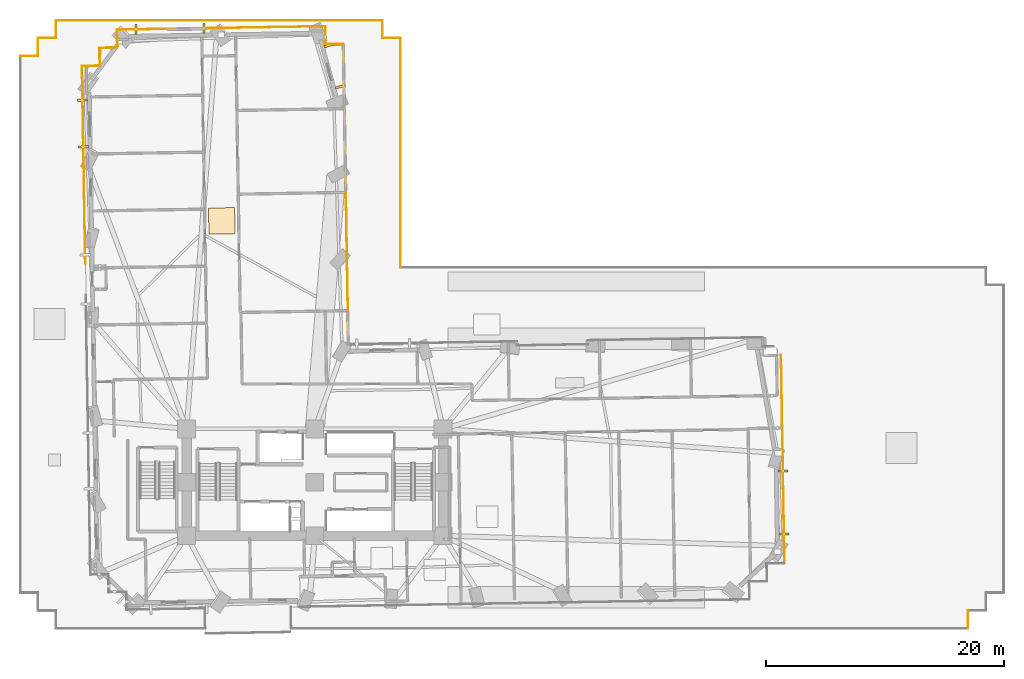
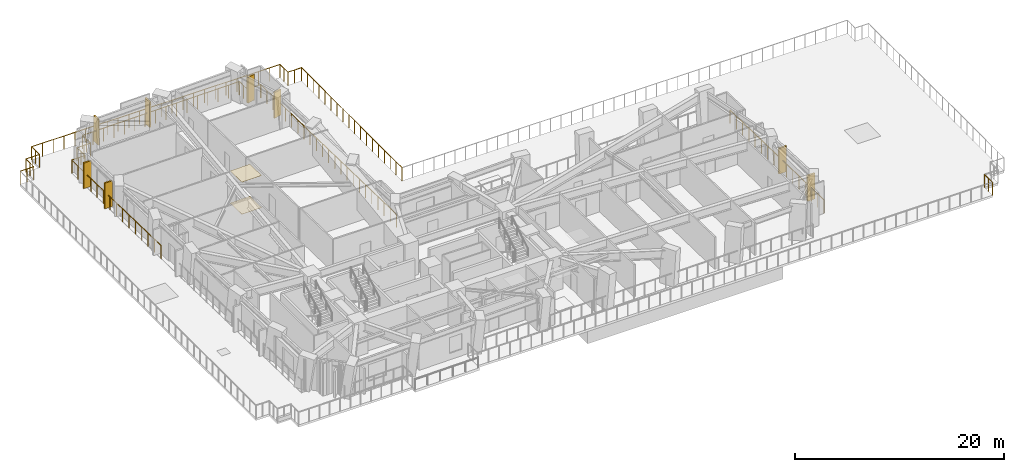
# One storey, part 16 of 17: 19 railings, 8 shading devices, 2 coverings.
"""IFC4 building model written with IfcOpenShell, lengths in metres."""

from ifc_helpers import new_model, si_unit, direction, frame, origin, origin_2d, place, context, subcontext, project, spatial, rectangle, circle, extrude, material, layer, layer_set, type_object, element, save


model = new_model("IFC4")

# Units and contexts
model_context = context("Model", 3, precision=1e-05, world=origin(), true_north=direction((0.0, 1.0)))
body_context = subcontext(model_context, "Body", "Model", "MODEL_VIEW")
ifc_project = project(units=[si_unit("LENGTHUNIT", "METRE"), si_unit("AREAUNIT", "SQUARE_METRE"), si_unit("VOLUMEUNIT", "CUBIC_METRE"), si_unit("PLANEANGLEUNIT", "RADIAN"), si_unit("MASSUNIT", "GRAM", prefix="KILO")], contexts=[model_context])

# Site, building, storey
site_placement = place(None, origin())
site = spatial("IfcSite", under=ifc_project, at=site_placement, CompositionType="ELEMENT")
building_placement = place(site_placement, origin())
building = spatial("IfcBuilding", under=site, at=building_placement, Name="Gaonmaruhae Medical Tower", CompositionType="ELEMENT")
storey_placement = place(building_placement, frame((0.0, 0.0, 27.0)))
storey = spatial("IfcBuildingStorey", under=building, at=storey_placement, Name="L05", CompositionType="ELEMENT", Elevation=27.0)

# Coverings
ifc_material_1 = material(Name="Acoustic mineral ceiling tile", Category="finish")
ifc_layer_1 = layer(ifc_material_1, 0.02490234375)
ifc_layer_set_1 = layer_set([ifc_layer_1], Name="Acoustic mineral ceiling tile")
covering_type_1 = type_object("IfcCoveringType", Name="CLG-01 Antimicrobial Acoustic Mineral Ceiling", PredefinedType="CEILING", material=ifc_layer_set_1)
covering_1_placement = place(storey_placement, frame((16.965087890625, 34.31103515625, 3.755126953125), z_axis=(0.0, 0.0, 1.0), x_axis=(0.999862544538, 0.016579868188, 0.0)))
element("IfcCovering", 1, at=covering_1_placement, inside=storey, type_object=covering_type_1, Name="L05 Clinical Corridor Acoustic Ceiling", PredefinedType="CEILING", context=body_context, shape_type="SweptSolid", body=[
    extrude(rectangle(XDim=2.199951171875, YDim=2.199951171875, at=origin_2d()), origin(), (0.0, 0.0, 1.0), 0.02490234375),
])
ifc_material_2 = material(Name="Seamless clinical vinyl flooring", Category="finish")
ifc_layer_2 = layer(ifc_material_2, 0.014892578125)
ifc_layer_set_2 = layer_set([ifc_layer_2], Name="Seamless clinical vinyl flooring")
covering_type_2 = type_object("IfcCoveringType", Name="FLR-01 Seamless Clinical Antistatic Vinyl Flooring", PredefinedType="FLOORING", material=ifc_layer_set_2)
covering_2_placement = place(storey_placement, frame((16.965087890625, 34.31103515625, 0.00048828125), z_axis=(0.0, 0.0, 1.0), x_axis=(0.999862544538, 0.016579868188, 0.0)))
element("IfcCovering", 2, at=covering_2_placement, inside=storey, type_object=covering_type_2, Name="L05 Clinical Corridor Vinyl Flooring", PredefinedType="FLOORING", context=body_context, shape_type="SweptSolid", body=[
    extrude(rectangle(XDim=2.199951171875, YDim=2.199951171875, at=origin_2d()), origin(), (0.0, 0.0, 1.0), 0.014892578125),
])

# Railings
ifc_material_3 = material(Name="Stainless steel 316L and laminated safety glass", Category="steel")
ifc_layer_3 = layer(ifc_material_3, 0.080078125)
ifc_layer_set_3 = layer_set([ifc_layer_3], Name="Stainless steel 316L and laminated safety glass")
railing_type = type_object("IfcRailingType", Name="GD-155 Planter-Edge Raised Safety Balustrade", PredefinedType="BALUSTRADE", material=ifc_layer_set_3)
railing_1_placement = place(storey_placement, frame((0.0, 48.199951171875, 0.0)))
element("IfcRailing", 3, at=railing_1_placement, inside=storey, type_object=railing_type, Name="L05 Terrace Safety Guard RL-SLB-L05-PODROOF1-05", PredefinedType="BALUSTRADE", context=body_context, shape_type="SweptSolid", body=[
    extrude(circle(Radius=0.02392578125, at=origin_2d()), frame((0.0, 0.0, 1.52587890625), z_axis=(1.0, 0.0, 0.0), x_axis=(0.0, 1.0, 0.0)), (0.0, 0.0, 1.0), 1.5),
    extrude(circle(Radius=0.02099609375, at=origin_2d()), origin(), (0.0, 0.0, 1.0), 1.501953125),
    extrude(circle(Radius=0.02099609375, at=origin_2d()), frame((0.75, 0.0, 0.0)), (0.0, 0.0, 1.0), 1.501953125),
    extrude(circle(Radius=0.02099609375, at=origin_2d()), frame((1.5, 0.0, 0.0)), (0.0, 0.0, 1.0), 1.501953125),
])
railing_2_placement = place(storey_placement, frame((1.5, 48.199951171875, 0.0)))
element("IfcRailing", 4, at=railing_2_placement, inside=storey, type_object=railing_type, Name="L05 Terrace Safety Guard RL-SLB-L05-PODROOF1-06", PredefinedType="BALUSTRADE", context=body_context, shape_type="SweptSolid", body=[
    extrude(circle(Radius=0.02392578125, at=origin_2d()), frame((0.0, 0.0, 1.52587890625), z_axis=(0.0, 1.0, 0.0), x_axis=(-1.0, 0.0, 0.0)), (0.0, 0.0, 1.0), 1.5),
    extrude(circle(Radius=0.02099609375, at=origin_2d()), origin(), (0.0, 0.0, 1.0), 1.501953125),
    extrude(circle(Radius=0.02099609375, at=origin_2d()), frame((0.0, 0.75, 0.0)), (0.0, 0.0, 1.0), 1.501953125),
    extrude(circle(Radius=0.02099609375, at=origin_2d()), frame((0.0, 1.5, 0.0)), (0.0, 0.0, 1.0), 1.501953125),
])
railing_3_placement = place(storey_placement, frame((1.5, 49.699951171875, 0.0)))
element("IfcRailing", 5, at=railing_3_placement, inside=storey, type_object=railing_type, Name="L05 Terrace Safety Guard RL-SLB-L05-PODROOF1-07", PredefinedType="BALUSTRADE", context=body_context, shape_type="SweptSolid", body=[
    extrude(circle(Radius=0.02392578125, at=origin_2d()), frame((0.0, 0.0, 1.52587890625), z_axis=(1.0, 0.0, 0.0), x_axis=(0.0, 1.0, 0.0)), (0.0, 0.0, 1.0), 1.5),
    extrude(circle(Radius=0.02099609375, at=origin_2d()), origin(), (0.0, 0.0, 1.0), 1.501953125),
    extrude(circle(Radius=0.02099609375, at=origin_2d()), frame((0.75, 0.0, 0.0)), (0.0, 0.0, 1.0), 1.501953125),
    extrude(circle(Radius=0.02099609375, at=origin_2d()), frame((1.5, 0.0, 0.0)), (0.0, 0.0, 1.0), 1.501953125),
])
railing_4_placement = place(storey_placement, frame((3.0, 49.699951171875, 0.0)))
element("IfcRailing", 6, at=railing_4_placement, inside=storey, type_object=railing_type, Name="L05 Terrace Safety Guard RL-SLB-L05-PODROOF1-08", PredefinedType="BALUSTRADE", context=body_context, shape_type="SweptSolid", body=[
    extrude(circle(Radius=0.02392578125, at=origin_2d()), frame((0.0, 0.0, 1.52587890625), z_axis=(0.0, 1.0, 0.0), x_axis=(-1.0, 0.0, 0.0)), (0.0, 0.0, 1.0), 1.5),
    extrude(circle(Radius=0.02099609375, at=origin_2d()), origin(), (0.0, 0.0, 1.0), 1.501953125),
    extrude(circle(Radius=0.02099609375, at=origin_2d()), frame((0.0, 0.75, 0.0)), (0.0, 0.0, 1.0), 1.501953125),
    extrude(circle(Radius=0.02099609375, at=origin_2d()), frame((0.0, 1.5, 0.0)), (0.0, 0.0, 1.0), 1.501953125),
])
railing_5_placement = place(storey_placement, frame((3.0, 51.199951171875, 0.0)))
element("IfcRailing", 7, at=railing_5_placement, inside=storey, type_object=railing_type, Name="L05 Terrace Safety Guard RL-SLB-L05-PODROOF1-09", PredefinedType="BALUSTRADE", context=body_context, shape_type="SweptSolid", body=[
    extrude(circle(Radius=0.02392578125, at=origin_2d()), frame((0.0, 0.0, 1.52587890625), z_axis=(1.0, 0.0, 0.0), x_axis=(0.0, 1.0, 0.0)), (0.0, 0.0, 1.0), 27.5),
    extrude(circle(Radius=0.02099609375, at=origin_2d()), origin(), (0.0, 0.0, 1.0), 1.501953125),
    extrude(circle(Radius=0.02099609375, at=origin_2d()), frame((1.195556640625, 0.0, 0.0)), (0.0, 0.0, 1.0), 1.501953125),
    extrude(circle(Radius=0.02099609375, at=origin_2d()), frame((2.391357421875, 0.0, 0.0)), (0.0, 0.0, 1.0), 1.501953125),
    extrude(circle(Radius=0.02099609375, at=origin_2d()), frame((3.5869140625, 0.0, 0.0)), (0.0, 0.0, 1.0), 1.501953125),
    extrude(circle(Radius=0.02099609375, at=origin_2d()), frame((4.78271484375, 0.0, 0.0)), (0.0, 0.0, 1.0), 1.501953125),
    extrude(circle(Radius=0.02099609375, at=origin_2d()), frame((5.978271484375, 0.0, 0.0)), (0.0, 0.0, 1.0), 1.501953125),
    extrude(circle(Radius=0.02099609375, at=origin_2d()), frame((7.173828125, 0.0, 0.0)), (0.0, 0.0, 1.0), 1.501953125),
    extrude(circle(Radius=0.02099609375, at=origin_2d()), frame((8.36962890625, 0.0, 0.0)), (0.0, 0.0, 1.0), 1.501953125),
    extrude(circle(Radius=0.02099609375, at=origin_2d()), frame((9.565185546875, 0.0, 0.0)), (0.0, 0.0, 1.0), 1.501953125),
    extrude(circle(Radius=0.02099609375, at=origin_2d()), frame((10.760986328125, 0.0, 0.0)), (0.0, 0.0, 1.0), 1.501953125),
    extrude(circle(Radius=0.02099609375, at=origin_2d()), frame((11.95654296875, 0.0, 0.0)), (0.0, 0.0, 1.0), 1.501953125),
    extrude(circle(Radius=0.02099609375, at=origin_2d()), frame((13.152099609375, 0.0, 0.0)), (0.0, 0.0, 1.0), 1.501953125),
    extrude(circle(Radius=0.02099609375, at=origin_2d()), frame((14.347900390625, 0.0, 0.0)), (0.0, 0.0, 1.0), 1.501953125),
    extrude(circle(Radius=0.02099609375, at=origin_2d()), frame((15.54345703125, 0.0, 0.0)), (0.0, 0.0, 1.0), 1.501953125),
    extrude(circle(Radius=0.02099609375, at=origin_2d()), frame((16.739013671875, 0.0, 0.0)), (0.0, 0.0, 1.0), 1.501953125),
    extrude(circle(Radius=0.02099609375, at=origin_2d()), frame((17.934814453125, 0.0, 0.0)), (0.0, 0.0, 1.0), 1.501953125),
    extrude(circle(Radius=0.02099609375, at=origin_2d()), frame((19.13037109375, 0.0, 0.0)), (0.0, 0.0, 1.0), 1.501953125),
    extrude(circle(Radius=0.02099609375, at=origin_2d()), frame((20.326171875, 0.0, 0.0)), (0.0, 0.0, 1.0), 1.501953125),
    extrude(circle(Radius=0.02099609375, at=origin_2d()), frame((21.521728515625, 0.0, 0.0)), (0.0, 0.0, 1.0), 1.501953125),
    extrude(circle(Radius=0.02099609375, at=origin_2d()), frame((22.71728515625, 0.0, 0.0)), (0.0, 0.0, 1.0), 1.501953125),
    extrude(circle(Radius=0.02099609375, at=origin_2d()), frame((23.9130859375, 0.0, 0.0)), (0.0, 0.0, 1.0), 1.501953125),
    extrude(circle(Radius=0.02099609375, at=origin_2d()), frame((25.108642578125, 0.0, 0.0)), (0.0, 0.0, 1.0), 1.501953125),
    extrude(circle(Radius=0.02099609375, at=origin_2d()), frame((26.304443359375, 0.0, 0.0)), (0.0, 0.0, 1.0), 1.501953125),
    extrude(circle(Radius=0.02099609375, at=origin_2d()), frame((27.5, 0.0, 0.0)), (0.0, 0.0, 1.0), 1.501953125),
])
railing_6_placement = place(storey_placement, frame((30.5, 51.199951171875, 0.0)))
element("IfcRailing", 8, at=railing_6_placement, inside=storey, type_object=railing_type, Name="L05 Terrace Safety Guard RL-SLB-L05-PODROOF1-10", PredefinedType="BALUSTRADE", context=body_context, shape_type="SweptSolid", body=[
    extrude(circle(Radius=0.02392578125, at=origin_2d()), frame((0.0, 0.0, 1.52587890625), z_axis=(0.0, -1.0, 0.0), x_axis=(1.0, 0.0, 0.0)), (0.0, 0.0, 1.0), 1.5),
    extrude(circle(Radius=0.02099609375, at=origin_2d()), origin(), (0.0, 0.0, 1.0), 1.501953125),
    extrude(circle(Radius=0.02099609375, at=origin_2d()), frame((0.0, -0.75, 0.0)), (0.0, 0.0, 1.0), 1.501953125),
    extrude(circle(Radius=0.02099609375, at=origin_2d()), frame((0.0, -1.5, 0.0)), (0.0, 0.0, 1.0), 1.501953125),
])
railing_7_placement = place(storey_placement, frame((30.5, 49.699951171875, 0.0)))
element("IfcRailing", 9, at=railing_7_placement, inside=storey, type_object=railing_type, Name="L05 Terrace Safety Guard RL-SLB-L05-PODROOF1-11", PredefinedType="BALUSTRADE", context=body_context, shape_type="SweptSolid", body=[
    extrude(circle(Radius=0.02392578125, at=origin_2d()), frame((0.0, 0.0, 1.52587890625), z_axis=(1.0, 0.0, 0.0), x_axis=(0.0, 1.0, 0.0)), (0.0, 0.0, 1.0), 1.5),
    extrude(circle(Radius=0.02099609375, at=origin_2d()), origin(), (0.0, 0.0, 1.0), 1.501953125),
    extrude(circle(Radius=0.02099609375, at=origin_2d()), frame((0.75, 0.0, 0.0)), (0.0, 0.0, 1.0), 1.501953125),
    extrude(circle(Radius=0.02099609375, at=origin_2d()), frame((1.5, 0.0, 0.0)), (0.0, 0.0, 1.0), 1.501953125),
])
railing_8_placement = place(storey_placement, frame((32.0, 49.699951171875, 0.0)))
element("IfcRailing", 10, at=railing_8_placement, inside=storey, type_object=railing_type, Name="L05 Terrace Safety Guard RL-SLB-L05-PODROOF1-12", PredefinedType="BALUSTRADE", context=body_context, shape_type="SweptSolid", body=[
    extrude(circle(Radius=0.02392578125, at=origin_2d()), frame((0.0, 0.0, 1.52587890625), z_axis=(0.0, -1.0, 0.0), x_axis=(1.0, 0.0, 0.0)), (0.0, 0.0, 1.0), 19.300048828125),
    extrude(circle(Radius=0.02099609375, at=origin_2d()), origin(), (0.0, 0.0, 1.0), 1.501953125),
    extrude(circle(Radius=0.02099609375, at=origin_2d()), frame((0.0, -1.13525390625, 0.0)), (0.0, 0.0, 1.0), 1.501953125),
    extrude(circle(Radius=0.02099609375, at=origin_2d()), frame((0.0, -2.2705078125, 0.0)), (0.0, 0.0, 1.0), 1.501953125),
    extrude(circle(Radius=0.02099609375, at=origin_2d()), frame((0.0, -3.406005859375, 0.0)), (0.0, 0.0, 1.0), 1.501953125),
    extrude(circle(Radius=0.02099609375, at=origin_2d()), frame((0.0, -4.541259765625, 0.0)), (0.0, 0.0, 1.0), 1.501953125),
    extrude(circle(Radius=0.02099609375, at=origin_2d()), frame((0.0, -5.676513671875, 0.0)), (0.0, 0.0, 1.0), 1.501953125),
    extrude(circle(Radius=0.02099609375, at=origin_2d()), frame((0.0, -6.811767578125, 0.0)), (0.0, 0.0, 1.0), 1.501953125),
    extrude(circle(Radius=0.02099609375, at=origin_2d()), frame((0.0, -7.947021484375, 0.0)), (0.0, 0.0, 1.0), 1.501953125),
    extrude(circle(Radius=0.02099609375, at=origin_2d()), frame((0.0, -9.082275390625, 0.0)), (0.0, 0.0, 1.0), 1.501953125),
    extrude(circle(Radius=0.02099609375, at=origin_2d()), frame((0.0, -10.2177734375, 0.0)), (0.0, 0.0, 1.0), 1.501953125),
    extrude(circle(Radius=0.02099609375, at=origin_2d()), frame((0.0, -11.35302734375, 0.0)), (0.0, 0.0, 1.0), 1.501953125),
    extrude(circle(Radius=0.02099609375, at=origin_2d()), frame((0.0, -12.48828125, 0.0)), (0.0, 0.0, 1.0), 1.501953125),
    extrude(circle(Radius=0.02099609375, at=origin_2d()), frame((0.0, -13.62353515625, 0.0)), (0.0, 0.0, 1.0), 1.501953125),
    extrude(circle(Radius=0.02099609375, at=origin_2d()), frame((0.0, -14.7587890625, 0.0)), (0.0, 0.0, 1.0), 1.501953125),
    extrude(circle(Radius=0.02099609375, at=origin_2d()), frame((0.0, -15.89404296875, 0.0)), (0.0, 0.0, 1.0), 1.501953125),
    extrude(circle(Radius=0.02099609375, at=origin_2d()), frame((0.0, -17.029541015625, 0.0)), (0.0, 0.0, 1.0), 1.501953125),
    extrude(circle(Radius=0.02099609375, at=origin_2d()), frame((0.0, -18.164794921875, 0.0)), (0.0, 0.0, 1.0), 1.501953125),
    extrude(circle(Radius=0.02099609375, at=origin_2d()), frame((0.0, -19.300048828125, 0.0)), (0.0, 0.0, 1.0), 1.501953125),
])
railing_9_placement = place(storey_placement, frame((79.800048828125, 1.5, 0.0)))
element("IfcRailing", 11, at=railing_9_placement, inside=storey, type_object=railing_type, Name="L05 Terrace Safety Guard RL-SLB-L05-PODROOF1-20", PredefinedType="BALUSTRADE", context=body_context, shape_type="SweptSolid", body=[
    extrude(circle(Radius=0.02392578125, at=origin_2d()), frame((0.0, 0.0, 1.52587890625), z_axis=(0.0, -1.0, 0.0), x_axis=(1.0, 0.0, 0.0)), (0.0, 0.0, 1.0), 1.5),
    extrude(circle(Radius=0.02099609375, at=origin_2d()), origin(), (0.0, 0.0, 1.0), 1.501953125),
    extrude(circle(Radius=0.02099609375, at=origin_2d()), frame((0.0, -0.75, 0.0)), (0.0, 0.0, 1.0), 1.501953125),
    extrude(circle(Radius=0.02099609375, at=origin_2d()), frame((0.0, -1.5, 0.0)), (0.0, 0.0, 1.0), 1.501953125),
])
railing_10_placement = place(storey_placement, frame((64.343994140625, 5.507080078125, 0.0)))
element("IfcRailing", 12, at=railing_10_placement, inside=storey, type_object=railing_type, Name="L05 Terrace Safety Guard RL-SLB-L05-PODROOF1-78", PredefinedType="BALUSTRADE", context=body_context, shape_type="SweptSolid", body=[
    extrude(circle(Radius=0.02392578125, at=origin_2d()), frame((0.0, 0.0, 1.52587890625), z_axis=(-0.016573696449, 0.99986264686, 0.0), x_axis=(-0.99986264686, -0.016573696449, 0.0)), (0.0, 0.0, 1.0), 17.5),
    extrude(circle(Radius=0.02099609375, at=origin_2d()), origin(), (0.0, 0.0, 1.0), 1.501953125),
    extrude(circle(Radius=0.02099609375, at=origin_2d()), frame((-0.019287109375, 1.16650390625, 0.0)), (0.0, 0.0, 1.0), 1.501953125),
    extrude(circle(Radius=0.02099609375, at=origin_2d()), frame((-0.03857421875, 2.3330078125, 0.0)), (0.0, 0.0, 1.0), 1.501953125),
    extrude(circle(Radius=0.02099609375, at=origin_2d()), frame((-0.05810546875, 3.49951171875, 0.0)), (0.0, 0.0, 1.0), 1.501953125),
    extrude(circle(Radius=0.02099609375, at=origin_2d()), frame((-0.077392578125, 4.666015625, 0.0)), (0.0, 0.0, 1.0), 1.501953125),
    extrude(circle(Radius=0.02099609375, at=origin_2d()), frame((-0.0966796875, 5.83251953125, 0.0)), (0.0, 0.0, 1.0), 1.501953125),
    extrude(circle(Radius=0.02099609375, at=origin_2d()), frame((-0.115966796875, 6.9990234375, 0.0)), (0.0, 0.0, 1.0), 1.501953125),
    extrude(circle(Radius=0.02099609375, at=origin_2d()), frame((-0.13525390625, 8.16552734375, 0.0)), (0.0, 0.0, 1.0), 1.501953125),
    extrude(circle(Radius=0.02099609375, at=origin_2d()), frame((-0.15478515625, 9.33203125, 0.0)), (0.0, 0.0, 1.0), 1.501953125),
    extrude(circle(Radius=0.02099609375, at=origin_2d()), frame((-0.174072265625, 10.49853515625, 0.0)), (0.0, 0.0, 1.0), 1.501953125),
    extrude(circle(Radius=0.02099609375, at=origin_2d()), frame((-0.193359375, 11.6650390625, 0.0)), (0.0, 0.0, 1.0), 1.501953125),
    extrude(circle(Radius=0.02099609375, at=origin_2d()), frame((-0.212646484375, 12.83154296875, 0.0)), (0.0, 0.0, 1.0), 1.501953125),
    extrude(circle(Radius=0.02099609375, at=origin_2d()), frame((-0.23193359375, 13.998046875, 0.0)), (0.0, 0.0, 1.0), 1.501953125),
    extrude(circle(Radius=0.02099609375, at=origin_2d()), frame((-0.25146484375, 15.16455078125, 0.0)), (0.0, 0.0, 1.0), 1.501953125),
    extrude(circle(Radius=0.02099609375, at=origin_2d()), frame((-0.270751953125, 16.3310546875, 0.0)), (0.0, 0.0, 1.0), 1.501953125),
    extrude(circle(Radius=0.02099609375, at=origin_2d()), frame((-0.2900390625, 17.49755859375, 0.0)), (0.0, 0.0, 1.0), 1.501953125),
])
railing_11_placement = place(storey_placement, frame((27.6337890625, 23.9208984375, 0.0)))
element("IfcRailing", 13, at=railing_11_placement, inside=storey, type_object=railing_type, Name="L05 Terrace Safety Guard RL-SLB-L05-PODROOF1-168", PredefinedType="BALUSTRADE", context=body_context, shape_type="SweptSolid", body=[
    extrude(circle(Radius=0.02392578125, at=origin_2d()), frame((0.0, 0.0, 1.52587890625), z_axis=(-0.016581804196, 0.999862512433, 0.0), x_axis=(-0.999862512433, -0.016581804196, 0.0)), (0.0, 0.0, 1.0), 25.280029296875),
    extrude(circle(Radius=0.02099609375, at=origin_2d()), origin(), (0.0, 0.0, 1.0), 1.501953125),
    extrude(circle(Radius=0.02099609375, at=origin_2d()), frame((-0.01904296875, 1.14892578125, 0.0)), (0.0, 0.0, 1.0), 1.501953125),
    extrude(circle(Radius=0.02099609375, at=origin_2d()), frame((-0.0380859375, 2.2978515625, 0.0)), (0.0, 0.0, 1.0), 1.501953125),
    extrude(circle(Radius=0.02099609375, at=origin_2d()), frame((-0.05712890625, 3.44677734375, 0.0)), (0.0, 0.0, 1.0), 1.501953125),
    extrude(circle(Radius=0.02099609375, at=origin_2d()), frame((-0.076171875, 4.595703125, 0.0)), (0.0, 0.0, 1.0), 1.501953125),
    extrude(circle(Radius=0.02099609375, at=origin_2d()), frame((-0.09521484375, 5.74462890625, 0.0)), (0.0, 0.0, 1.0), 1.501953125),
    extrude(circle(Radius=0.02099609375, at=origin_2d()), frame((-0.1142578125, 6.8935546875, 0.0)), (0.0, 0.0, 1.0), 1.501953125),
    extrude(circle(Radius=0.02099609375, at=origin_2d()), frame((-0.13330078125, 8.04248046875, 0.0)), (0.0, 0.0, 1.0), 1.501953125),
    extrude(circle(Radius=0.02099609375, at=origin_2d()), frame((-0.15234375, 9.19140625, 0.0)), (0.0, 0.0, 1.0), 1.501953125),
    extrude(circle(Radius=0.02099609375, at=origin_2d()), frame((-0.17138671875, 10.34033203125, 0.0)), (0.0, 0.0, 1.0), 1.501953125),
    extrude(circle(Radius=0.02099609375, at=origin_2d()), frame((-0.1904296875, 11.4892578125, 0.0)), (0.0, 0.0, 1.0), 1.501953125),
    extrude(circle(Radius=0.02099609375, at=origin_2d()), frame((-0.20947265625, 12.63818359375, 0.0)), (0.0, 0.0, 1.0), 1.501953125),
    extrude(circle(Radius=0.02099609375, at=origin_2d()), frame((-0.228759765625, 13.787353515625, 0.0)), (0.0, 0.0, 1.0), 1.501953125),
    extrude(circle(Radius=0.02099609375, at=origin_2d()), frame((-0.247802734375, 14.936279296875, 0.0)), (0.0, 0.0, 1.0), 1.501953125),
    extrude(circle(Radius=0.02099609375, at=origin_2d()), frame((-0.266845703125, 16.085205078125, 0.0)), (0.0, 0.0, 1.0), 1.501953125),
    extrude(circle(Radius=0.02099609375, at=origin_2d()), frame((-0.285888671875, 17.234130859375, 0.0)), (0.0, 0.0, 1.0), 1.501953125),
    extrude(circle(Radius=0.02099609375, at=origin_2d()), frame((-0.304931640625, 18.383056640625, 0.0)), (0.0, 0.0, 1.0), 1.501953125),
    extrude(circle(Radius=0.02099609375, at=origin_2d()), frame((-0.323974609375, 19.531982421875, 0.0)), (0.0, 0.0, 1.0), 1.501953125),
    extrude(circle(Radius=0.02099609375, at=origin_2d()), frame((-0.343017578125, 20.680908203125, 0.0)), (0.0, 0.0, 1.0), 1.501953125),
    extrude(circle(Radius=0.02099609375, at=origin_2d()), frame((-0.362060546875, 21.829833984375, 0.0)), (0.0, 0.0, 1.0), 1.501953125),
    extrude(circle(Radius=0.02099609375, at=origin_2d()), frame((-0.381103515625, 22.978759765625, 0.0)), (0.0, 0.0, 1.0), 1.501953125),
    extrude(circle(Radius=0.02099609375, at=origin_2d()), frame((-0.400146484375, 24.127685546875, 0.0)), (0.0, 0.0, 1.0), 1.501953125),
    extrude(circle(Radius=0.02099609375, at=origin_2d()), frame((-0.419189453125, 25.276611328125, 0.0)), (0.0, 0.0, 1.0), 1.501953125),
])
railing_12_placement = place(storey_placement, frame((27.1943359375, 49.21728515625, 0.0)))
element("IfcRailing", 14, at=railing_12_placement, inside=storey, type_object=railing_type, Name="L05 Terrace Safety Guard RL-SLB-L05-PODROOF1-185", PredefinedType="BALUSTRADE", context=body_context, shape_type="SweptSolid", body=[
    extrude(circle(Radius=0.02392578125, at=origin_2d()), frame((0.0, 0.0, 1.52587890625), z_axis=(-0.999861185847, -0.016661603658, 0.0), x_axis=(0.016661603658, -0.999861185847, 0.0)), (0.0, 0.0, 1.0), 1.47998046875),
    extrude(circle(Radius=0.02099609375, at=origin_2d()), origin(), (0.0, 0.0, 1.0), 1.501953125),
    extrude(circle(Radius=0.02099609375, at=origin_2d()), frame((-0.73974609375, -0.01220703125, 0.0)), (0.0, 0.0, 1.0), 1.501953125),
    extrude(circle(Radius=0.02099609375, at=origin_2d()), frame((-1.479736328125, -0.024658203125, 0.0)), (0.0, 0.0, 1.0), 1.501953125),
])
railing_13_placement = place(storey_placement, frame((25.714599609375, 49.192626953125, 0.0)))
element("IfcRailing", 15, at=railing_13_placement, inside=storey, type_object=railing_type, Name="L05 Terrace Safety Guard RL-SLB-L05-PODROOF1-186", PredefinedType="BALUSTRADE", context=body_context, shape_type="SweptSolid", body=[
    extrude(circle(Radius=0.02392578125, at=origin_2d()), frame((0.0, 0.0, 1.52587890625), z_axis=(-0.016661603658, 0.999861185847, 0.0), x_axis=(-0.999861185847, -0.016661603658, 0.0)), (0.0, 0.0, 1.0), 1.47998046875),
    extrude(circle(Radius=0.02099609375, at=origin_2d()), origin(), (0.0, 0.0, 1.0), 1.501953125),
    extrude(circle(Radius=0.02099609375, at=origin_2d()), frame((-0.01220703125, 0.73974609375, 0.0)), (0.0, 0.0, 1.0), 1.501953125),
    extrude(circle(Radius=0.02099609375, at=origin_2d()), frame((-0.024658203125, 1.479736328125, 0.0)), (0.0, 0.0, 1.0), 1.501953125),
])
railing_14_placement = place(storey_placement, frame((25.669677734375, 50.692138671875, 0.0)))
element("IfcRailing", 16, at=railing_14_placement, inside=storey, type_object=railing_type, Name="L05 Terrace Safety Guard RL-SLB-L05-PODROOF1-203", PredefinedType="BALUSTRADE", context=body_context, shape_type="SweptSolid", body=[
    extrude(circle(Radius=0.02392578125, at=origin_2d()), frame((0.0, 0.0, 1.52587890625), z_axis=(-0.999862415576, -0.016587643535, 0.0), x_axis=(0.016587643535, -0.999862415576, 0.0)), (0.0, 0.0, 1.0), 17.5),
    extrude(circle(Radius=0.02099609375, at=origin_2d()), origin(), (0.0, 0.0, 1.0), 1.501953125),
    extrude(circle(Radius=0.02099609375, at=origin_2d()), frame((-1.16650390625, -0.019287109375, 0.0)), (0.0, 0.0, 1.0), 1.501953125),
    extrude(circle(Radius=0.02099609375, at=origin_2d()), frame((-2.3330078125, -0.038818359375, 0.0)), (0.0, 0.0, 1.0), 1.501953125),
    extrude(circle(Radius=0.02099609375, at=origin_2d()), frame((-3.49951171875, -0.05810546875, 0.0)), (0.0, 0.0, 1.0), 1.501953125),
    extrude(circle(Radius=0.02099609375, at=origin_2d()), frame((-4.666015625, -0.077392578125, 0.0)), (0.0, 0.0, 1.0), 1.501953125),
    extrude(circle(Radius=0.02099609375, at=origin_2d()), frame((-5.83251953125, -0.0966796875, 0.0)), (0.0, 0.0, 1.0), 1.501953125),
    extrude(circle(Radius=0.02099609375, at=origin_2d()), frame((-6.9990234375, -0.1162109375, 0.0)), (0.0, 0.0, 1.0), 1.501953125),
    extrude(circle(Radius=0.02099609375, at=origin_2d()), frame((-8.16552734375, -0.135498046875, 0.0)), (0.0, 0.0, 1.0), 1.501953125),
    extrude(circle(Radius=0.02099609375, at=origin_2d()), frame((-9.33203125, -0.15478515625, 0.0)), (0.0, 0.0, 1.0), 1.501953125),
    extrude(circle(Radius=0.02099609375, at=origin_2d()), frame((-10.49853515625, -0.174072265625, 0.0)), (0.0, 0.0, 1.0), 1.501953125),
    extrude(circle(Radius=0.02099609375, at=origin_2d()), frame((-11.6650390625, -0.193603515625, 0.0)), (0.0, 0.0, 1.0), 1.501953125),
    extrude(circle(Radius=0.02099609375, at=origin_2d()), frame((-12.83154296875, -0.212890625, 0.0)), (0.0, 0.0, 1.0), 1.501953125),
    extrude(circle(Radius=0.02099609375, at=origin_2d()), frame((-13.998046875, -0.232177734375, 0.0)), (0.0, 0.0, 1.0), 1.501953125),
    extrude(circle(Radius=0.02099609375, at=origin_2d()), frame((-15.16455078125, -0.25146484375, 0.0)), (0.0, 0.0, 1.0), 1.501953125),
    extrude(circle(Radius=0.02099609375, at=origin_2d()), frame((-16.3310546875, -0.27099609375, 0.0)), (0.0, 0.0, 1.0), 1.501953125),
    extrude(circle(Radius=0.02099609375, at=origin_2d()), frame((-17.49755859375, -0.290283203125, 0.0)), (0.0, 0.0, 1.0), 1.501953125),
])
railing_15_placement = place(storey_placement, frame((8.15234375, 50.381591796875, 0.0)))
element("IfcRailing", 17, at=railing_15_placement, inside=storey, type_object=railing_type, Name="L05 Terrace Safety Guard RL-SLB-L05-PODROOF1-220", PredefinedType="BALUSTRADE", context=body_context, shape_type="SweptSolid", body=[
    extrude(circle(Radius=0.02392578125, at=origin_2d()), frame((0.0, 0.0, 1.52587890625), z_axis=(0.016661603658, -0.999861185847, 0.0), x_axis=(0.999861185847, 0.016661603658, 0.0)), (0.0, 0.0, 1.0), 1.47998046875),
    extrude(circle(Radius=0.02099609375, at=origin_2d()), origin(), (0.0, 0.0, 1.0), 1.501953125),
    extrude(circle(Radius=0.02099609375, at=origin_2d()), frame((0.01220703125, -0.73974609375, 0.0)), (0.0, 0.0, 1.0), 1.501953125),
    extrude(circle(Radius=0.02099609375, at=origin_2d()), frame((0.024658203125, -1.479736328125, 0.0)), (0.0, 0.0, 1.0), 1.501953125),
])
railing_16_placement = place(storey_placement, frame((8.177001953125, 48.90185546875, 0.0)))
element("IfcRailing", 18, at=railing_16_placement, inside=storey, type_object=railing_type, Name="L05 Terrace Safety Guard RL-SLB-L05-PODROOF1-221", PredefinedType="BALUSTRADE", context=body_context, shape_type="SweptSolid", body=[
    extrude(circle(Radius=0.02392578125, at=origin_2d()), frame((0.0, 0.0, 1.52587890625), z_axis=(-0.999861231632, -0.016658855888, 0.0), x_axis=(0.016658855888, -0.999861231632, 0.0)), (0.0, 0.0, 1.0), 1.480224609375),
    extrude(circle(Radius=0.02099609375, at=origin_2d()), origin(), (0.0, 0.0, 1.0), 1.501953125),
    extrude(circle(Radius=0.02099609375, at=origin_2d()), frame((-0.739990234375, -0.01220703125, 0.0)), (0.0, 0.0, 1.0), 1.501953125),
    extrude(circle(Radius=0.02099609375, at=origin_2d()), frame((-1.47998046875, -0.024658203125, 0.0)), (0.0, 0.0, 1.0), 1.501953125),
])
railing_17_placement = place(storey_placement, frame((6.677490234375, 48.85693359375, 0.0)))
element("IfcRailing", 19, at=railing_17_placement, inside=storey, type_object=railing_type, Name="L05 Terrace Safety Guard RL-SLB-L05-PODROOF1-238", PredefinedType="BALUSTRADE", context=body_context, shape_type="SweptSolid", body=[
    extrude(circle(Radius=0.02392578125, at=origin_2d()), frame((0.0, 0.0, 1.52587890625), z_axis=(0.016496682403, -0.999863920476, 0.0), x_axis=(0.999863920476, 0.016496682403, 0.0)), (0.0, 0.0, 1.0), 1.47998046875),
    extrude(circle(Radius=0.02099609375, at=origin_2d()), origin(), (0.0, 0.0, 1.0), 1.501953125),
    extrude(circle(Radius=0.02099609375, at=origin_2d()), frame((0.01220703125, -0.73974609375, 0.0)), (0.0, 0.0, 1.0), 1.501953125),
    extrude(circle(Radius=0.02099609375, at=origin_2d()), frame((0.0244140625, -1.479736328125, 0.0)), (0.0, 0.0, 1.0), 1.501953125),
])
railing_18_placement = place(storey_placement, frame((6.701904296875, 47.377197265625, 0.0)))
element("IfcRailing", 20, at=railing_18_placement, inside=storey, type_object=railing_type, Name="L05 Terrace Safety Guard RL-SLB-L05-PODROOF1-239", PredefinedType="BALUSTRADE", context=body_context, shape_type="SweptSolid", body=[
    extrude(circle(Radius=0.02392578125, at=origin_2d()), frame((0.0, 0.0, 1.52587890625), z_axis=(-0.999861185847, -0.016661603658, 0.0), x_axis=(0.016661603658, -0.999861185847, 0.0)), (0.0, 0.0, 1.0), 1.47998046875),
    extrude(circle(Radius=0.02099609375, at=origin_2d()), origin(), (0.0, 0.0, 1.0), 1.501953125),
    extrude(circle(Radius=0.02099609375, at=origin_2d()), frame((-0.73974609375, -0.01220703125, 0.0)), (0.0, 0.0, 1.0), 1.501953125),
    extrude(circle(Radius=0.02099609375, at=origin_2d()), frame((-1.479736328125, -0.024658203125, 0.0)), (0.0, 0.0, 1.0), 1.501953125),
])
railing_19_placement = place(storey_placement, frame((5.202392578125, 47.332275390625, 0.0)))
element("IfcRailing", 21, at=railing_19_placement, inside=storey, type_object=railing_type, Name="L05 Terrace Safety Guard RL-SLB-L05-PODROOF1-256A", PredefinedType="BALUSTRADE", context=body_context, shape_type="SweptSolid", body=[
    extrude(circle(Radius=0.02392578125, at=origin_2d()), frame((0.0, 0.0, 1.52587890625), z_axis=(0.016585291733, -0.99986245459, 0.0), x_axis=(0.99986245459, 0.016585291733, 0.0)), (0.0, 0.0, 1.0), 16.619140625),
    extrude(circle(Radius=0.02099609375, at=origin_2d()), origin(), (0.0, 0.0, 1.0), 1.501953125),
    extrude(circle(Radius=0.02099609375, at=origin_2d()), frame((0.019775390625, -1.18701171875, 0.0)), (0.0, 0.0, 1.0), 1.501953125),
    extrude(circle(Radius=0.02099609375, at=origin_2d()), frame((0.039306640625, -2.373779296875, 0.0)), (0.0, 0.0, 1.0), 1.501953125),
    extrude(circle(Radius=0.02099609375, at=origin_2d()), frame((0.05908203125, -3.560791015625, 0.0)), (0.0, 0.0, 1.0), 1.501953125),
    extrude(circle(Radius=0.02099609375, at=origin_2d()), frame((0.078857421875, -4.747802734375, 0.0)), (0.0, 0.0, 1.0), 1.501953125),
    extrude(circle(Radius=0.02099609375, at=origin_2d()), frame((0.098388671875, -5.9345703125, 0.0)), (0.0, 0.0, 1.0), 1.501953125),
    extrude(circle(Radius=0.02099609375, at=origin_2d()), frame((0.1181640625, -7.12158203125, 0.0)), (0.0, 0.0, 1.0), 1.501953125),
    extrude(circle(Radius=0.02099609375, at=origin_2d()), frame((0.1376953125, -8.30859375, 0.0)), (0.0, 0.0, 1.0), 1.501953125),
    extrude(circle(Radius=0.02099609375, at=origin_2d()), frame((0.157470703125, -9.495361328125, 0.0)), (0.0, 0.0, 1.0), 1.501953125),
    extrude(circle(Radius=0.02099609375, at=origin_2d()), frame((0.17724609375, -10.682373046875, 0.0)), (0.0, 0.0, 1.0), 1.501953125),
    extrude(circle(Radius=0.02099609375, at=origin_2d()), frame((0.19677734375, -11.869140625, 0.0)), (0.0, 0.0, 1.0), 1.501953125),
    extrude(circle(Radius=0.02099609375, at=origin_2d()), frame((0.216552734375, -13.05615234375, 0.0)), (0.0, 0.0, 1.0), 1.501953125),
    extrude(circle(Radius=0.02099609375, at=origin_2d()), frame((0.236328125, -14.2431640625, 0.0)), (0.0, 0.0, 1.0), 1.501953125),
    extrude(circle(Radius=0.02099609375, at=origin_2d()), frame((0.255859375, -15.429931640625, 0.0)), (0.0, 0.0, 1.0), 1.501953125),
    extrude(circle(Radius=0.02099609375, at=origin_2d()), frame((0.275634765625, -16.616943359375, 0.0)), (0.0, 0.0, 1.0), 1.501953125),
])

# Shading devices
ifc_material_4 = material(Name="Pigmented coral precast concrete C45/55", Category="concrete")
shading_device_type = type_object("IfcShadingDeviceType", Name="SD-FIN1 Tower Vertical Coral Precast Shading Fin", PredefinedType="USERDEFINED", material=ifc_material_4)
for number, where, z_axis, x_axis, name in (
    (22, (64.210693359375, 13.2529296875, 0.08251953125), (0.0, 0.0, 1.0), (0.016579868188, -0.999862544538, 0.0), "L05 Vertical Coral Precast Shading Fin E01"),
    (23, (64.298583984375, 7.943359375, 0.08251953125), (0.0, 0.0, 1.0), (0.016579868188, -0.999862544538, 0.0), "L05 Vertical Coral Precast Shading Fin E01B"),
    (24, (25.99951171875, 49.07568359375, 0.08251953125), (0.0, 0.0, 1.0), (0.264411719271, -0.964409893516, 0.0), "L05 Vertical Coral Precast Shading Fin NE03"),
    (25, (26.9482421875, 45.614501953125, 0.08251953125), (0.0, 0.0, 1.0), (0.264411719271, -0.964409893516, 0.0), "L05 Vertical Coral Precast Shading Fin NE03B"),
    (26, (9.735107421875, 50.4228515625, 0.08251953125), (0.0, 0.0, 1.0), (0.999862255013, 0.016597319079, 0.0), "L05 Vertical Coral Precast Shading Fin N02"),
    (27, (15.468994140625, 50.517822265625, 0.08251953125), (0.0, 0.0, 1.0), (0.999862255013, 0.016597319079, 0.0), "L05 Vertical Coral Precast Shading Fin N02B"),
    (28, (5.320068359375, 40.5498046875, 0.08251953125), (0.0, 0.0, 1.0), (-0.016579868188, 0.999862544538, 0.0), "L05 Vertical Coral Precast Shading Fin W01"),
    (29, (5.2548828125, 44.47216796875, 0.08251953125), (0.0, 0.0, 1.0), (-0.016579868188, 0.999862544538, 0.0), "L05 Vertical Coral Precast Shading Fin W01B"),
):
    element("IfcShadingDevice", number, at=place(storey_placement, frame(where, z_axis=z_axis, x_axis=x_axis)), inside=storey, type_object=shading_device_type, Name=name, ObjectType="FIN", PredefinedType="USERDEFINED", context=body_context, shape_type="SweptSolid", body=[
        extrude(rectangle(XDim=0.179931640625, YDim=0.85009765625, at=origin_2d()), origin(), (0.0, 0.0, 1.0), 3.0),
    ])

save(model, "model.ifc")
